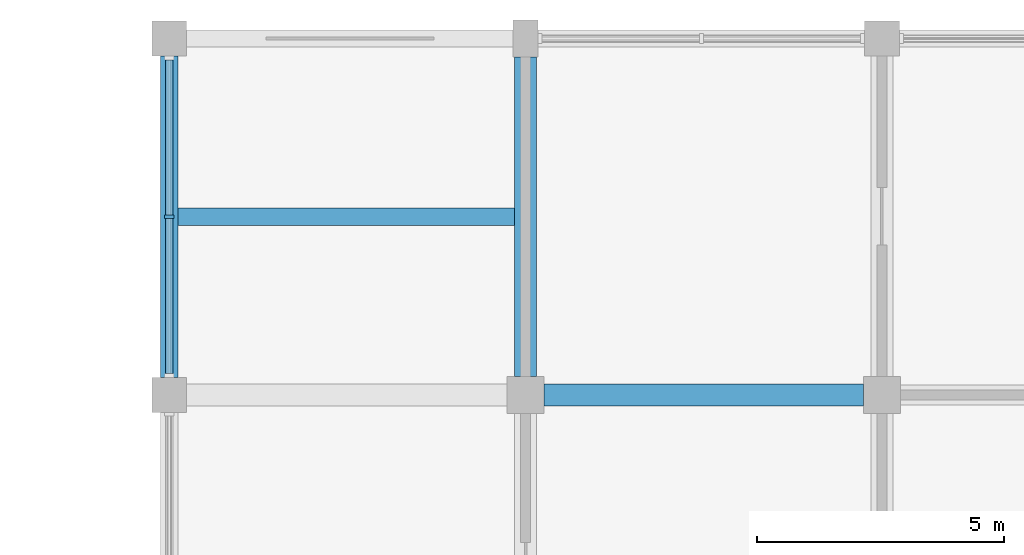
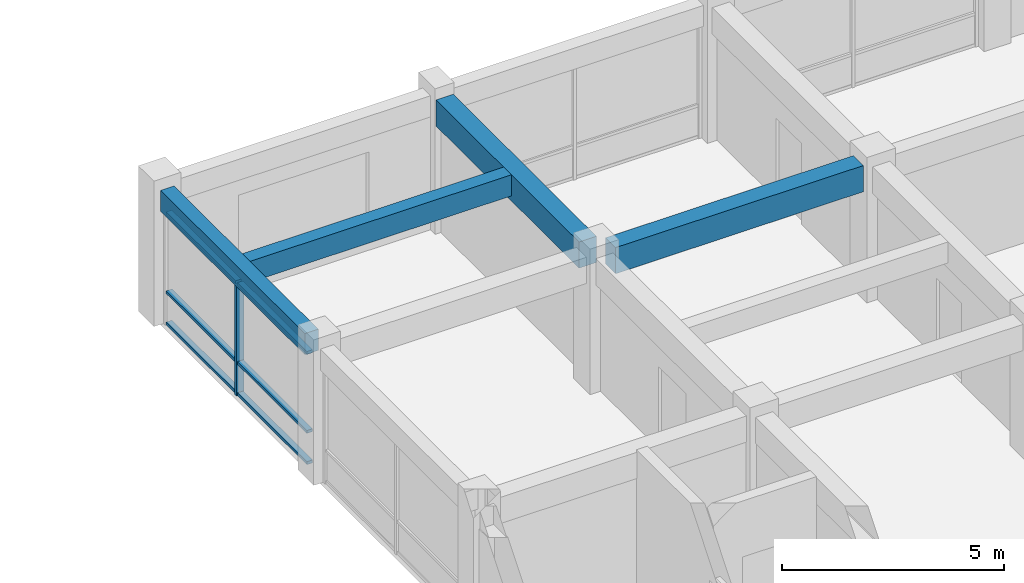
# One storey, part 6 of 25: 7 members, 4 beams, 1 element without a shape of its own.
"""IFC4 building model written with IfcOpenShell, lengths in metres."""

from ifc_helpers import new_model, si_unit, direction, frame, origin, origin_2d, place, context, subcontext, project, spatial, rectangle, extrude, material, layer, layer_set, material_profile, profile_set, type_object, element, aggregate, save


model = new_model("IFC4")

# Units and contexts
model_context = context("Model", 3, precision=1e-05, world=origin(), true_north=direction((0.0, 1.0)))
body_context = subcontext(model_context, "Body", "Model", "MODEL_VIEW")
ifc_project = project(units=[si_unit("LENGTHUNIT", "METRE"), si_unit("AREAUNIT", "SQUARE_METRE"), si_unit("VOLUMEUNIT", "CUBIC_METRE"), si_unit("PLANEANGLEUNIT", "RADIAN"), si_unit("MASSUNIT", "GRAM", prefix="KILO")], contexts=[model_context])

# Site, building, storey
site_placement = place(None, origin())
site = spatial("IfcSite", under=ifc_project, at=site_placement, CompositionType="ELEMENT")
building_placement = place(site_placement, origin())
building = spatial("IfcBuilding", under=site, at=building_placement, Name="Cendaluz Park School", CompositionType="ELEMENT")
storey_placement = place(building_placement, frame((0.0, 0.0, 18.60009765625)))
storey = spatial("IfcBuildingStorey", under=building, at=storey_placement, Name="L04", CompositionType="ELEMENT", Elevation=18.60009765625)

# Beams
ifc_material_1 = material(Name="Concrete C40/50", Category="concrete")
ifc_material_profile_1 = material_profile(ifc_material_1, rectangle(XDim=0.449951171875, YDim=0.719970703125, at=origin_2d()), Name="RC 450x720", Category="concrete")
ifc_profile_set_1 = profile_set([ifc_material_profile_1], Name="Concrete C40/50")
beam_type_1 = type_object("IfcBeamType", Name="BM-RC02", PredefinedType="BEAM", material=ifc_profile_set_1)
for number, where, z_axis, x_axis, name in (
    (1, (72.375, 64.800048828125, 3.329833984375), (1.0, 0.0, 0.0), (0.0, 1.0, 0.0), "BM-L04-BMRC02-0044"),
    (2, (72.0, 65.175048828125, 3.329833984375), (0.0, 1.0, 0.0), (-1.0, 0.0, 0.0), "BM-L04-BMRC02-0149"),
):
    element("IfcBeam", number, at=place(storey_placement, frame(where, z_axis=z_axis, x_axis=x_axis)), inside=storey, type_object=beam_type_1, Name=name, PredefinedType="BEAM", context=body_context, shape_type="SweptSolid", body=[
        extrude(rectangle(XDim=0.449951171875, YDim=0.719970703125, at=origin_2d()), origin(), (0.0, 0.0, 1.0), 6.449951171875),
    ])
ifc_material_profile_2 = material_profile(ifc_material_1, rectangle(XDim=0.35009765625, YDim=0.580078125, at=origin_2d()), Name="RC 350x580", Category="concrete")
ifc_profile_set_2 = profile_set([ifc_material_profile_2], Name="Concrete C40/50")
beam_type_2 = type_object("IfcBeamType", Name="BM-RC04", PredefinedType="LINTEL", material=ifc_profile_set_2)
beam_1_placement = place(storey_placement, frame((64.800048828125, 65.14990234375, 3.39990234375), z_axis=(0.0, 1.0, 0.0), x_axis=(-1.0, 0.0, 0.0)))
element("IfcBeam", 3, at=beam_1_placement, inside=storey, type_object=beam_type_2, Name="BM-L04-BMRC04-0140", PredefinedType="LINTEL", context=body_context, shape_type="SweptSolid", body=[
    extrude(rectangle(XDim=0.35009765625, YDim=0.580078125, at=origin_2d()), origin(), (0.0, 0.0, 1.0), 6.5),
])

# Curtain wall, members
ifc_material_2 = material(Name="Anodised Aluminium 6063-T6", Category="aluminium")
ifc_layer = layer(ifc_material_2, 0.179931640625)
ifc_layer_set = layer_set([ifc_layer], Name="Anodised Aluminium 6063-T6")
curtain_wall_type = type_object("IfcCurtainWallType", Name="CW-130x62", PredefinedType="NOTDEFINED", material=ifc_layer_set)
curtain_wall_placement = place(storey_placement, origin())
curtain_wall = element("IfcCurtainWall", 4, at=curtain_wall_placement, inside=storey, type_object=curtain_wall_type, Name="CW-L04-174", PredefinedType="NOTDEFINED")
ifc_material_profile_3 = material_profile(ifc_material_2, rectangle(XDim=0.199951171875, YDim=0.080078125, at=origin_2d()), Name="CWM 200x80", Category="aluminium")
ifc_profile_set_3 = profile_set([ifc_material_profile_3], Name="Anodised Aluminium 6063-T6")
member_type_1 = type_object("IfcMemberType", Name="CWM-02", PredefinedType="MULLION", material=ifc_profile_set_3)
member_1_placement = place(storey_placement, frame((64.800048828125, 68.39990234375, 0.0), z_axis=(0.0, 0.0, 1.0), x_axis=(-1.0, 0.0, 0.0)))
member_1 = element("IfcMember", 5, at=member_1_placement, type_object=member_type_1, Name="CP-L04-2251", PredefinedType="MULLION", context=body_context, shape_type="SweptSolid", body=[
    extrude(rectangle(XDim=0.199951171875, YDim=0.080078125, at=origin_2d()), origin(), (0.0, 0.0, 1.0), 3.10986328125),
])
ifc_material_profile_4 = material_profile(ifc_material_2, rectangle(XDim=0.14990234375, YDim=0.080078125, at=origin_2d()), Name="CWT 150x80", Category="aluminium")
ifc_profile_set_4 = profile_set([ifc_material_profile_4], Name="Anodised Aluminium 6063-T6")
member_type_2 = type_object("IfcMemberType", Name="CWT-02", PredefinedType="USERDEFINED", material=ifc_profile_set_4)
member_2_placement = place(storey_placement, frame((64.800048828125, 65.22998046875, 0.039794921875), z_axis=(0.0, 1.0, 0.0), x_axis=(-1.0, 0.0, 0.0)))
member_2 = element("IfcMember", 6, at=member_2_placement, type_object=member_type_2, Name="CP-L04-2253", ObjectType="TRANSOM", PredefinedType="USERDEFINED", context=body_context, shape_type="SweptSolid", body=[
    extrude(rectangle(XDim=0.14990234375, YDim=0.080078125, at=origin_2d()), origin(), (0.0, 0.0, 1.0), 3.130126953125),
])
member_3_placement = place(storey_placement, frame((64.800048828125, 65.22998046875, 0.89990234375), z_axis=(0.0, 1.0, 0.0), x_axis=(-1.0, 0.0, 0.0)))
member_3 = element("IfcMember", 7, at=member_3_placement, type_object=member_type_2, Name="CP-L04-2254", ObjectType="TRANSOM", PredefinedType="USERDEFINED", context=body_context, shape_type="SweptSolid", body=[
    extrude(rectangle(XDim=0.14990234375, YDim=0.080078125, at=origin_2d()), origin(), (0.0, 0.0, 1.0), 3.130126953125),
])
member_4_placement = place(storey_placement, frame((64.800048828125, 65.22998046875, 3.06982421875), z_axis=(0.0, 1.0, 0.0), x_axis=(-1.0, 0.0, 0.0)))
member_4 = element("IfcMember", 8, at=member_4_placement, type_object=member_type_2, Name="CP-L04-2255", ObjectType="TRANSOM", PredefinedType="USERDEFINED", context=body_context, shape_type="SweptSolid", body=[
    extrude(rectangle(XDim=0.14990234375, YDim=0.080078125, at=origin_2d()), origin(), (0.0, 0.0, 1.0), 3.130126953125),
])
member_5_placement = place(storey_placement, frame((64.800048828125, 68.43994140625, 0.039794921875), z_axis=(0.0, 1.0, 0.0), x_axis=(-1.0, 0.0, 0.0)))
member_5 = element("IfcMember", 9, at=member_5_placement, type_object=member_type_2, Name="CP-L04-2258", ObjectType="TRANSOM", PredefinedType="USERDEFINED", context=body_context, shape_type="SweptSolid", body=[
    extrude(rectangle(XDim=0.14990234375, YDim=0.080078125, at=origin_2d()), origin(), (0.0, 0.0, 1.0), 3.130126953125),
])
member_6_placement = place(storey_placement, frame((64.800048828125, 68.43994140625, 0.89990234375), z_axis=(0.0, 1.0, 0.0), x_axis=(-1.0, 0.0, 0.0)))
member_6 = element("IfcMember", 10, at=member_6_placement, type_object=member_type_2, Name="CP-L04-2259", ObjectType="TRANSOM", PredefinedType="USERDEFINED", context=body_context, shape_type="SweptSolid", body=[
    extrude(rectangle(XDim=0.14990234375, YDim=0.080078125, at=origin_2d()), origin(), (0.0, 0.0, 1.0), 3.130126953125),
])
member_7_placement = place(storey_placement, frame((64.800048828125, 68.43994140625, 3.06982421875), z_axis=(0.0, 1.0, 0.0), x_axis=(-1.0, 0.0, 0.0)))
member_7 = element("IfcMember", 11, at=member_7_placement, type_object=member_type_2, Name="CP-L04-2260", ObjectType="TRANSOM", PredefinedType="USERDEFINED", context=body_context, shape_type="SweptSolid", body=[
    extrude(rectangle(XDim=0.14990234375, YDim=0.080078125, at=origin_2d()), origin(), (0.0, 0.0, 1.0), 3.130126953125),
])
aggregate(curtain_wall, [member_1, member_2, member_3, member_4, member_5, member_6, member_7])

# Beam
ifc_material_profile_5 = material_profile(ifc_material_1, rectangle(XDim=0.35009765625, YDim=0.580078125, at=origin_2d()), Name="RC 350x580", Category="concrete")
ifc_profile_set_5 = profile_set([ifc_material_profile_5], Name="Concrete C40/50")
beam_type_3 = type_object("IfcBeamType", Name="JT-RC01", PredefinedType="JOIST", material=ifc_profile_set_5)
beam_2_placement = place(storey_placement, frame((64.97509765625, 68.39990234375, 3.39990234375), z_axis=(1.0, 0.0, 0.0), x_axis=(0.0, 1.0, 0.0)))
element("IfcBeam", 12, at=beam_2_placement, inside=storey, type_object=beam_type_3, Name="BM-L04-JTRC01-0223", PredefinedType="JOIST", context=body_context, shape_type="SweptSolid", body=[
    extrude(rectangle(XDim=0.35009765625, YDim=0.580078125, at=origin_2d()), origin(), (0.0, 0.0, 1.0), 6.7998046875),
])

save(model, "model.ifc")
